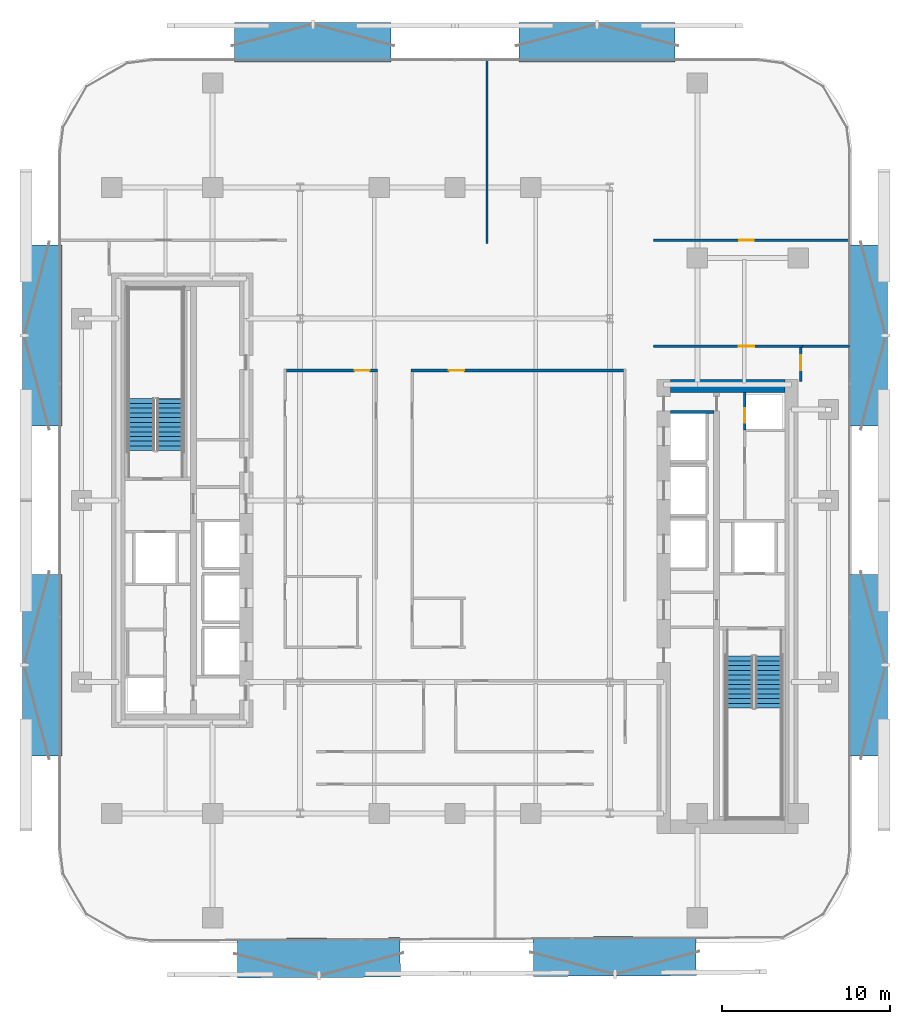
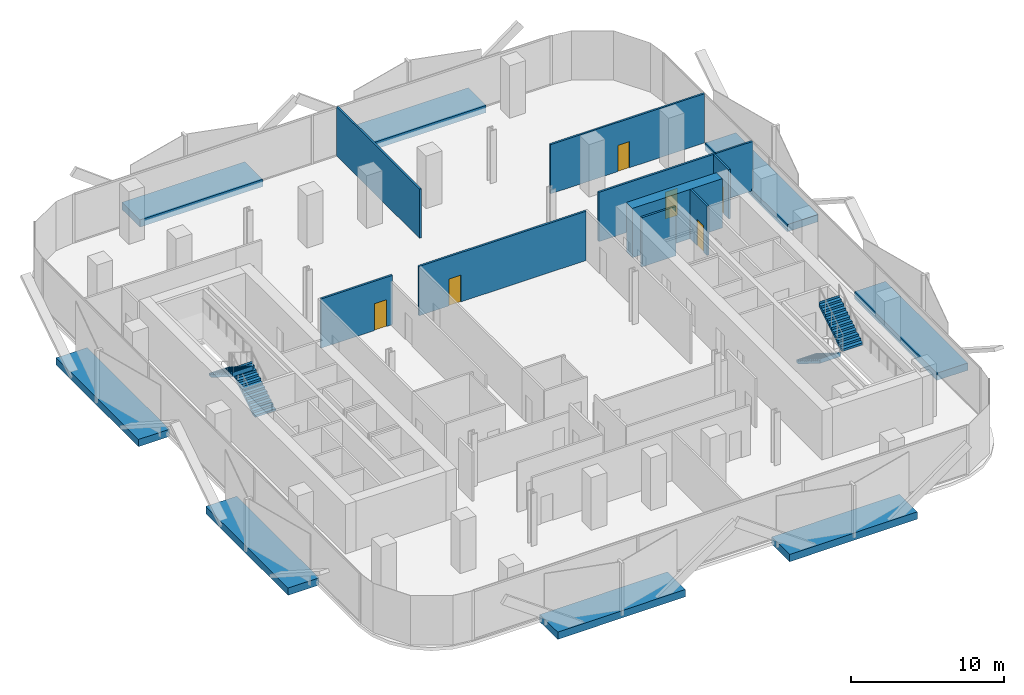
# One storey, part 6 of 15: 10 walls, 8 discrete accessories, 6 doors, 4 stair flights, 6 openings, 2 elements without a shape of their own.
"""IFC4 building model written with IfcOpenShell, lengths in metres."""

import ifcopenshell
import ifcopenshell.guid

model = None  # the IFC model being written
_history = None  # IfcOwnerHistory: only IFC2X3 demands one
_inside = {}  # id of a spatial element -> (the spatial element, [elements in it])
_under = {}  # id of a project, library or spatial element -> (it, [spatial elements below it])
_declared = {}  # id of a project -> (the project, [libraries it declares])
_typed = {}  # id of a type object -> (the type object, [elements of that type])
_made_of = {}  # id of a material, layer set ... -> (it, [elements and type objects made of it])


def new_model(schema):
    """Start an empty IFC model of exactly this schema.

    Asked for "IFC4X3", IfcOpenShell would pick the latest addendum, in which some entities
    have other attributes; the version numbers below select the first issue.
    IFC2X3 requires an IfcOwnerHistory on every rooted entity: one is made here for all.
    """
    global model, _history
    if schema == "IFC4X3":
        model = ifcopenshell.file(schema_version=(4, 3, 0, 0))
    else:
        model = ifcopenshell.file(schema=schema)
    _inside.clear()
    _under.clear()
    _declared.clear()
    _typed.clear()
    _made_of.clear()
    _history = None
    if model.schema == "IFC2X3":
        org = make("IfcOrganization", Name="unknown")
        user = make(
            "IfcPersonAndOrganization",
            ThePerson=make("IfcPerson", FamilyName="unknown"),
            TheOrganization=org,
        )
        app = make(
            "IfcApplication",
            ApplicationDeveloper=org,
            Version="unknown",
            ApplicationFullName="unknown",
            ApplicationIdentifier="unknown",
        )
        _history = make(
            "IfcOwnerHistory",
            OwningUser=user,
            OwningApplication=app,
            ChangeAction="ADDED",
            CreationDate=0,
        )
    return model


def make(cls, **values):
    """One entity of the class cls with the attributes given. An attribute that is None is left unset."""
    return model.create_entity(
        cls, **{name: value for name, value in values.items() if value is not None}
    )


def rooted(cls, **values):
    """An entity with a GlobalId (a new one), such as an element, a storey or a relation."""
    return make(cls, GlobalId=ifcopenshell.guid.new(), OwnerHistory=_history, **values)


def si_unit(unit_type, name, prefix=None):
    """IfcSIUnit, for example si_unit("LENGTHUNIT", "METRE", prefix="MILLI")."""
    return make("IfcSIUnit", UnitType=unit_type, Prefix=prefix, Name=name)


def assignment(units):
    """IfcUnitAssignment: the units of a project."""
    return None if units is None else make("IfcUnitAssignment", Units=units)


def point(xyz):
    """IfcCartesianPoint."""
    return None if xyz is None else make("IfcCartesianPoint", Coordinates=xyz)


def direction(xyz):
    """IfcDirection."""
    return None if xyz is None else make("IfcDirection", DirectionRatios=xyz)


def frame(location, z_axis=None, x_axis=None):
    """IfcAxis2Placement3D, a coordinate frame: its origin and axes. An axis left out is left unset."""
    return make(
        "IfcAxis2Placement3D",
        Location=point(location),
        Axis=direction(z_axis),
        RefDirection=direction(x_axis),
    )


def frame_2d(location, x_axis=None):
    """IfcAxis2Placement2D, a coordinate frame in the plane: its origin and x axis."""
    return make(
        "IfcAxis2Placement2D", Location=point(location), RefDirection=direction(x_axis)
    )


def origin():
    """The frame at (0, 0, 0) with its axes left unset."""
    return frame((0.0, 0.0, 0.0))


def origin_2d():
    """The frame at (0, 0) in the plane with its x axis left unset."""
    return frame_2d((0.0, 0.0))


def place(relative_to, where):
    """IfcLocalPlacement: puts the frame where relative to a parent placement (None: the world)."""
    return make(
        "IfcLocalPlacement", PlacementRelTo=relative_to, RelativePlacement=where
    )


def context(
    kind, dimensions, precision=None, world=None, true_north=None, identifier=None
):
    """IfcGeometricRepresentationContext, for example the 3D "Model" context."""
    return make(
        "IfcGeometricRepresentationContext",
        ContextIdentifier=identifier,
        ContextType=kind,
        CoordinateSpaceDimension=dimensions,
        Precision=precision,
        WorldCoordinateSystem=world,
        TrueNorth=true_north,
    )


def subcontext(parent, identifier, kind, view, scale=None):
    """IfcGeometricRepresentationSubContext, for example "Body" below "Model"."""
    return make(
        "IfcGeometricRepresentationSubContext",
        ContextIdentifier=identifier,
        ContextType=kind,
        ParentContext=parent,
        TargetScale=scale,
        TargetView=view,
    )


def project(units=None, contexts=None):
    """IfcProject with its units and contexts."""
    return rooted(
        "IfcProject",
        Name="project",
        RepresentationContexts=contexts,
        UnitsInContext=assignment(units),
    )


def spatial(cls, under=None, at=None, **own):
    """A site, building, storey or space (cls), placed at a placement, below another one or the project."""
    s = rooted(cls, ObjectPlacement=at, **own)
    if under is not None:
        _under.setdefault(under.id(), (under, []))[1].append(s)
    return s


def polyline(points):
    """IfcPolyline through the points."""
    return make("IfcPolyline", Points=[point(p) for p in points])


def profile(cls, at=None, kind="AREA", **sizes):
    """A parametric profile (cls). Its sizes go by their IFC names, for example OverallWidth=200.0."""
    return make(cls, ProfileType=kind, Position=at, **sizes)


def rectangle(**sizes):
    """IfcRectangleProfileDef."""
    return profile("IfcRectangleProfileDef", **sizes)


def outline(outer, holes=None, kind="AREA"):
    """IfcArbitraryClosedProfileDef: a profile drawn as a closed curve; with holes, ...WithVoids."""
    if holes is None:
        return make("IfcArbitraryClosedProfileDef", ProfileType=kind, OuterCurve=outer)
    return make(
        "IfcArbitraryProfileDefWithVoids",
        ProfileType=kind,
        OuterCurve=outer,
        InnerCurves=holes,
    )


def extrude(swept, where, along, depth):
    """IfcExtrudedAreaSolid: the profile swept, set in the frame where, extruded along a direction by depth."""
    return make(
        "IfcExtrudedAreaSolid",
        SweptArea=swept,
        Position=where,
        ExtrudedDirection=direction(along),
        Depth=depth,
    )


def shape(context_of_items, identifier, shape_type, items):
    """IfcShapeRepresentation: the items that make up one representation, for example the "Body"."""
    return make(
        "IfcShapeRepresentation",
        ContextOfItems=context_of_items,
        RepresentationIdentifier=identifier,
        RepresentationType=shape_type,
        Items=items,
    )


def material(Name=None, Category=None):
    """IfcMaterial."""
    return make("IfcMaterial", Name=Name, Category=Category)


def layer(
    of_material, thickness, ventilated=None, Name=None, Category=None, Priority=None
):
    """IfcMaterialLayer: one layer of a wall or slab, of a material (None: an air gap)."""
    return make(
        "IfcMaterialLayer",
        Material=of_material,
        LayerThickness=thickness,
        IsVentilated=ventilated,
        Name=Name,
        Category=Category,
        Priority=Priority,
    )


def layer_set(layers, Name=None):
    """IfcMaterialLayerSet."""
    return make("IfcMaterialLayerSet", MaterialLayers=layers, LayerSetName=Name)


def made_of(thing, what):
    """Note that an element or type object is made of a material, layer set ...; save() writes the relation."""
    if what is not None:
        _made_of.setdefault(what.id(), (what, []))[1].append(thing)
    return thing


def type_object(cls, material=None, **own):
    """A type object (cls), such as IfcWallType, which elements share."""
    return made_of(rooted(cls, **own), material)


def element(
    cls,
    number,
    at=None,
    inside=None,
    cuts=None,
    type_object=None,
    material=None,
    context=None,
    identifier="Body",
    shape_type=None,
    held_by="IfcProductDefinitionShape",
    body=None,
    shapes=None,
    **own,
):
    """One element of the class cls, such as IfcWall. Its Tag is "e" and its number.

    at: its placement. inside: the storey or other place that contains it. cuts: it is an
    opening in that element (IfcRelVoidsElement). A single representation is given by context,
    identifier, shape_type and body (its items); several are given by shapes. held_by: the class
    of the entity that holds the representations. save() writes the other relations.
    """
    e = rooted(cls, Tag="e%d" % number, ObjectPlacement=at, **own)
    if body is not None:
        shapes = [shape(context, identifier, shape_type, body)]
    if shapes is not None:
        e.Representation = make(held_by, Representations=shapes)
    if inside is not None:
        _inside.setdefault(inside.id(), (inside, []))[1].append(e)
    if cuts is not None:
        rooted(
            "IfcRelVoidsElement", RelatingBuildingElement=cuts, RelatedOpeningElement=e
        )
    if type_object is not None:
        _typed.setdefault(type_object.id(), (type_object, []))[1].append(e)
    return made_of(e, material)


def fill(opening, filler):
    """IfcRelFillsElement: the door or window that sits in an opening."""
    return rooted(
        "IfcRelFillsElement",
        RelatingOpeningElement=opening,
        RelatedBuildingElement=filler,
    )


def aggregate(whole, parts):
    """IfcRelAggregates: a whole, such as a stair, and the parts it consists of."""
    return rooted("IfcRelAggregates", RelatingObject=whole, RelatedObjects=parts)


def save(model, path):
    """Write the relations noted so far, then the file.

    IfcRelAggregates (storeys below a building ...), IfcRelContainedInSpatialStructure (elements
    in a storey), IfcRelDefinesByType, IfcRelAssociatesMaterial and IfcRelDeclares: one each for
    every whole, place, type object, material and project.
    """
    for whole, parts in _under.values():
        aggregate(whole, parts)
    for where, things in _inside.values():
        rooted(
            "IfcRelContainedInSpatialStructure",
            RelatedElements=things,
            RelatingStructure=where,
        )
    for kind, things in _typed.values():
        rooted("IfcRelDefinesByType", RelatedObjects=things, RelatingType=kind)
    for what, things in _made_of.values():
        rooted("IfcRelAssociatesMaterial", RelatedObjects=things, RelatingMaterial=what)
    for by, libraries in _declared.values():
        rooted("IfcRelDeclares", RelatingContext=by, RelatedDefinitions=libraries)
    model.write(path)


model = new_model("IFC4")

# Units and contexts
model_context = context("Model", 3, precision=1e-05, world=origin(), true_north=direction((0.0, 1.0)))
body_context = subcontext(model_context, "Body", "Model", "MODEL_VIEW")
ifc_project = project(units=[si_unit("LENGTHUNIT", "METRE"), si_unit("AREAUNIT", "SQUARE_METRE"), si_unit("VOLUMEUNIT", "CUBIC_METRE"), si_unit("PLANEANGLEUNIT", "RADIAN"), si_unit("MASSUNIT", "GRAM", prefix="KILO")], contexts=[model_context])

# Site, building, storey
site_placement = place(None, origin())
site = spatial("IfcSite", under=ifc_project, at=site_placement, CompositionType="ELEMENT")
building_placement = place(site_placement, origin())
building = spatial("IfcBuilding", under=site, at=building_placement, Name="Khairoan Windgate Tower", CompositionType="ELEMENT")
storey_placement = place(building_placement, frame((0.0, 0.0, 101.60009765625)))
storey = spatial("IfcBuildingStorey", under=building, at=storey_placement, Name="L23", CompositionType="ELEMENT", Elevation=101.60009765625)

# Walls
ifc_material_1 = material(Name="Concrete C40/50", Category="concrete")
ifc_layer_1 = layer(ifc_material_1, 0.159912109375, Name="Concrete C40/50")
ifc_layer_set_1 = layer_set([ifc_layer_1], Name="Concrete C40/50")
wall_type_1 = type_object("IfcWallType", Name="Core and Hoistway Enclosure Wall", PredefinedType="STANDARD", material=ifc_layer_set_1)
wall_1_placement = place(storey_placement, frame((12.800048828125, 5.25, 0.0), z_axis=(0.0, 0.0, 1.0), x_axis=(1.0, 0.0, 0.0)))
element("IfcWall", 1, at=wall_1_placement, inside=storey, type_object=wall_type_1, Name="L23 Core Shaft Wall SW-ESV-L23", PredefinedType="STANDARD", context=body_context, shape_type="SweptSolid", body=[
    extrude(rectangle(XDim=2.599853515625, YDim=0.159912109375, at=frame_2d((1.2998046875, 0.0))), origin(), (0.0, 0.0, 1.0), 3.93994140625),
])
ifc_material_2 = material(Name="Acoustic Fire-Rated Gypsum Partition", Category="gypsum")
ifc_layer_2 = layer(ifc_material_2, 0.139892578125, Name="Acoustic Fire-Rated Gypsum Partition")
ifc_layer_set_2 = layer_set([ifc_layer_2], Name="Acoustic Fire-Rated Gypsum Partition")
wall_type_2 = type_object("IfcWallType", Name="Inter-Tenancy Compartment Wall", PredefinedType="PARTITIONING", material=ifc_layer_set_2)
wall_2_placement = place(storey_placement, frame((20.639892578125, 9.159912109375, 0.0), z_axis=(0.0, 0.0, 1.0), x_axis=(1.0, 0.0, 0.0)))
element("IfcWall", 2, at=wall_2_placement, inside=storey, type_object=wall_type_2, Name="L23 Interior Partition 036", PredefinedType="PARTITIONING", context=body_context, shape_type="SweptSolid", body=[
    extrude(rectangle(XDim=2.815185546875, YDim=0.139892578125, at=frame_2d((1.40771484375, 0.0))), origin(), (0.0, 0.0, 1.0), 3.93994140625),
])

# Wall, opening, door
wall_3_placement = place(storey_placement, frame((11.81005859375, 15.4599609375, 0.0), z_axis=(0.0, 0.0, 1.0), x_axis=(1.0, 0.0, 0.0)))
wall_3 = element("IfcWall", 3, at=wall_3_placement, inside=storey, type_object=wall_type_2, Name="L23 Interior Partition 037", PredefinedType="PARTITIONING", context=body_context, shape_type="SweptSolid", body=[
    extrude(rectangle(XDim=11.64501953125, YDim=0.139892578125, at=frame_2d((5.822509765625, 0.0))), origin(), (0.0, 0.0, 1.0), 3.93994140625),
])
opening_1_placement = place(wall_3_placement, frame((5.09521484375, 0.0, 0.0)))
opening_1 = element("IfcOpeningElement", 4, at=opening_1_placement, cuts=wall_3, Name="Opening FD-SRV", PredefinedType="OPENING", context=body_context, shape_type="SweptSolid", body=[
    extrude(rectangle(XDim=0.85009765625, YDim=2.10009765625, at=frame_2d((0.425048828125, 1.050048828125))), frame((0.0, 0.079833984375, 0.0), z_axis=(0.0, -1.0, 0.0), x_axis=(1.0, 0.0, 0.0)), (0.0, 0.0, 1.0), 0.159912109375),
])
ifc_material_3 = material(Name="Steel S355", Category="steel")
door_type_1 = type_object("IfcDoorType", Name="Core Service and Riser Fire Door FD-SRV 850x2100", OperationType="NOTDEFINED", PredefinedType="DOOR", material=ifc_material_3)
door_1_placement = place(opening_1_placement, origin())
door_1 = element("IfcDoor", 5, at=door_1_placement, inside=storey, type_object=door_type_1, Name="L23 L23-38-L23-40 Door", OperationType="SINGLE_SWING_LEFT", OverallHeight=2.10009765625, OverallWidth=0.85009765625, PredefinedType="DOOR", context=body_context, shape_type="SweptSolid", body=[
    extrude(rectangle(XDim=0.85009765625, YDim=2.10009765625, at=frame_2d((0.425048828125, 1.050048828125))), frame((0.0, 0.02490234375, 0.0), z_axis=(0.0, -1.0, 0.0), x_axis=(1.0, 0.0, 0.0)), (0.0, 0.0, 1.0), 0.050048828125),
])
fill(opening_1, door_1)

# Wall
wall_4_placement = place(storey_placement, frame((1.904052734375, 15.280029296875, 0.0), z_axis=(0.0, 0.0, 1.0), x_axis=(0.0, 1.0, 0.0)))
element("IfcWall", 6, at=wall_4_placement, inside=storey, type_object=wall_type_2, Name="L23 Interior Partition 038", PredefinedType="PARTITIONING", context=body_context, shape_type="SweptSolid", body=[
    extrude(rectangle(XDim=10.875, YDim=0.139892578125, at=frame_2d((5.4375, 0.0))), origin(), (0.0, 0.0, 1.0), 3.93994140625),
])

# Wall, opening, door
ifc_material_4 = material(Name="Concrete C40/50", Category="concrete")
ifc_layer_3 = layer(ifc_material_4, 0.159912109375, Name="Concrete C40/50")
ifc_layer_set_3 = layer_set([ifc_layer_3], Name="Concrete C40/50")
wall_type_3 = type_object("IfcWallType", Name="Plant and Refuge Compartment Wall", PredefinedType="PARTITIONING", material=ifc_layer_set_3)
wall_5_placement = place(storey_placement, frame((17.22998046875, 4.169921875, 0.0), z_axis=(0.0, 0.0, 1.0), x_axis=(0.0, 1.0, 0.0)))
wall_5 = element("IfcWall", 7, at=wall_5_placement, inside=storey, type_object=wall_type_3, Name="L23 Interior Partition 007", PredefinedType="PARTITIONING", context=body_context, shape_type="SweptSolid", body=[
    extrude(rectangle(XDim=2.22998046875, YDim=0.159912109375, at=frame_2d((1.114990234375, 0.0))), origin(), (0.0, 0.0, 1.0), 3.93994140625),
])
opening_2_placement = place(wall_5_placement, frame((0.4599609375, 0.0, 0.0)))
opening_2 = element("IfcOpeningElement", 8, at=opening_2_placement, cuts=wall_5, Name="Opening FD-SRV", PredefinedType="OPENING", context=body_context, shape_type="SweptSolid", body=[
    extrude(rectangle(XDim=0.85009765625, YDim=2.10009765625, at=frame_2d((0.425048828125, 1.050048828125))), frame((0.0, 0.08984375, 0.0), z_axis=(0.0, -1.0, 0.0), x_axis=(1.0, 0.0, 0.0)), (0.0, 0.0, 1.0), 0.179931640625),
])
door_2_placement = place(opening_2_placement, origin())
door_2 = element("IfcDoor", 9, at=door_2_placement, inside=storey, type_object=door_type_1, Name="L23 L23-18-L23-19 Door", OperationType="SINGLE_SWING_RIGHT", OverallHeight=2.10009765625, OverallWidth=0.85009765625, PredefinedType="DOOR", context=body_context, shape_type="SweptSolid", body=[
    extrude(rectangle(XDim=0.85009765625, YDim=2.10009765625, at=frame_2d((0.425048828125, 1.050048828125))), frame((0.0, 0.02490234375, 0.0), z_axis=(0.0, -1.0, 0.0), x_axis=(1.0, 0.0, 0.0)), (0.0, 0.0, 1.0), 0.050048828125),
])
fill(opening_2, door_2)

ifc_material_5 = material(Name="Acoustic Fire-Rated Gypsum Partition", Category="gypsum")
ifc_layer_4 = layer(ifc_material_5, 0.14990234375, Name="Acoustic Fire-Rated Gypsum Partition")
ifc_layer_set_4 = layer_set([ifc_layer_4], Name="Acoustic Fire-Rated Gypsum Partition")
wall_type_4 = type_object("IfcWallType", Name="Rated Corridor Partition Wall", PredefinedType="PARTITIONING", material=ifc_layer_set_4)
wall_6_placement = place(storey_placement, frame((-2.6201171875, 7.719970703125, 0.0), z_axis=(0.0, 0.0, 1.0), x_axis=(1.0, 0.0, 0.0)))
wall_6 = element("IfcWall", 10, at=wall_6_placement, inside=storey, type_object=wall_type_4, Name="L23 Interior Partition 016", PredefinedType="PARTITIONING", context=body_context, shape_type="SweptSolid", body=[
    extrude(rectangle(XDim=12.64501953125, YDim=0.14990234375, at=frame_2d((6.322509765625, 0.0))), origin(), (0.0, 0.0, 1.0), 3.93994140625),
])
opening_3_placement = place(wall_6_placement, frame((2.26416015625, 0.0, 0.0)))
opening_3 = element("IfcOpeningElement", 11, at=opening_3_placement, cuts=wall_6, Name="Opening FD-ENT", PredefinedType="OPENING", context=body_context, shape_type="SweptSolid", body=[
    extrude(rectangle(XDim=0.89990234375, YDim=2.14990234375, at=frame_2d((0.449951171875, 1.074951171875))), frame((0.0, 0.0849609375, 0.0), z_axis=(0.0, -1.0, 0.0), x_axis=(1.0, 0.0, 0.0)), (0.0, 0.0, 1.0), 0.169921875),
])
ifc_material_6 = material(Name="Timber Fire-Rated Core", Category="wood")
door_type_2 = type_object("IfcDoorType", Name="Unit and Office Fire Entrance Door FD-ENT 900x2150", OperationType="NOTDEFINED", PredefinedType="DOOR", material=ifc_material_6)
door_3_placement = place(opening_3_placement, origin())
door_3 = element("IfcDoor", 12, at=door_3_placement, inside=storey, type_object=door_type_2, Name="L23 L23-29-L23-44 Door", OperationType="SINGLE_SWING_RIGHT", OverallHeight=2.14990234375, OverallWidth=0.89990234375, PredefinedType="DOOR", context=body_context, shape_type="SweptSolid", body=[
    extrude(rectangle(XDim=0.89990234375, YDim=2.14990234375, at=frame_2d((0.449951171875, 1.074951171875))), frame((0.0, 0.02490234375, 0.0), z_axis=(0.0, -1.0, 0.0), x_axis=(1.0, 0.0, 0.0)), (0.0, 0.0, 1.0), 0.050048828125),
])
fill(opening_3, door_3)

wall_7_placement = place(storey_placement, frame((-10.02490234375, 7.719970703125, 0.0), z_axis=(0.0, 0.0, 1.0), x_axis=(1.0, 0.0, 0.0)))
wall_7 = element("IfcWall", 13, at=wall_7_placement, inside=storey, type_object=wall_type_4, Name="L23 Interior Partition 017", PredefinedType="PARTITIONING", context=body_context, shape_type="SweptSolid", body=[
    extrude(rectangle(XDim=5.419921875, YDim=0.14990234375, at=frame_2d((2.7099609375, 0.0))), origin(), (0.0, 0.0, 1.0), 3.93994140625),
])
opening_4_placement = place(wall_7_placement, frame((4.06005859375, 0.0, 0.0)))
opening_4 = element("IfcOpeningElement", 14, at=opening_4_placement, cuts=wall_7, Name="Opening FD-ENT", PredefinedType="OPENING", context=body_context, shape_type="SweptSolid", body=[
    extrude(rectangle(XDim=0.89990234375, YDim=2.14990234375, at=frame_2d((0.449951171875, 1.074951171875))), frame((0.0, 0.0849609375, 0.0), z_axis=(0.0, -1.0, 0.0), x_axis=(1.0, 0.0, 0.0)), (0.0, 0.0, 1.0), 0.169921875),
])
door_4_placement = place(opening_4_placement, origin())
door_4 = element("IfcDoor", 15, at=door_4_placement, inside=storey, type_object=door_type_2, Name="L23 L23-29-L23-46 Door", OperationType="SINGLE_SWING_LEFT", OverallHeight=2.14990234375, OverallWidth=0.89990234375, PredefinedType="DOOR", context=body_context, shape_type="SweptSolid", body=[
    extrude(rectangle(XDim=0.89990234375, YDim=2.14990234375, at=frame_2d((0.449951171875, 1.074951171875))), frame((0.0, 0.02490234375, 0.0), z_axis=(0.0, -1.0, 0.0), x_axis=(1.0, 0.0, 0.0)), (0.0, 0.0, 1.0), 0.050048828125),
])
fill(opening_4, door_4)

wall_8_placement = place(storey_placement, frame((20.5400390625, 7.06005859375, 0.0), z_axis=(0.0, 0.0, 1.0), x_axis=(0.0, 1.0, 0.0)))
wall_8 = element("IfcWall", 16, at=wall_8_placement, inside=storey, type_object=wall_type_4, Name="L23 Interior Partition 027", PredefinedType="PARTITIONING", context=body_context, shape_type="SweptSolid", body=[
    extrude(rectangle(XDim=2.02490234375, YDim=0.14990234375, at=frame_2d((1.012451171875, 0.0))), origin(), (0.0, 0.0, 1.0), 3.93994140625),
])
opening_5_placement = place(wall_8_placement, frame((0.6650390625, 0.0, 0.0)))
opening_5 = element("IfcOpeningElement", 17, at=opening_5_placement, cuts=wall_8, Name="Opening FD-ENT", PredefinedType="OPENING", context=body_context, shape_type="SweptSolid", body=[
    extrude(rectangle(XDim=0.89990234375, YDim=2.14990234375, at=frame_2d((0.449951171875, 1.074951171875))), frame((0.0, 0.0849609375, 0.0), z_axis=(0.0, -1.0, 0.0), x_axis=(1.0, 0.0, 0.0)), (0.0, 0.0, 1.0), 0.169921875),
])
door_5_placement = place(opening_5_placement, origin())
door_5 = element("IfcDoor", 18, at=door_5_placement, inside=storey, type_object=door_type_2, Name="L23 L23-33-L23-37 Door", OperationType="SINGLE_SWING_LEFT", OverallHeight=2.14990234375, OverallWidth=0.89990234375, PredefinedType="DOOR", context=body_context, shape_type="SweptSolid", body=[
    extrude(rectangle(XDim=0.89990234375, YDim=2.14990234375, at=frame_2d((0.449951171875, 1.074951171875))), frame((0.0, 0.02490234375, 0.0), z_axis=(0.0, -1.0, 0.0), x_axis=(1.0, 0.0, 0.0)), (0.0, 0.0, 1.0), 0.050048828125),
])
fill(opening_5, door_5)

wall_9_placement = place(storey_placement, frame((11.81005859375, 9.159912109375, 0.0), z_axis=(0.0, 0.0, 1.0), x_axis=(1.0, 0.0, 0.0)))
wall_9 = element("IfcWall", 19, at=wall_9_placement, inside=storey, type_object=wall_type_4, Name="L23 Interior Partition 028", PredefinedType="PARTITIONING", context=body_context, shape_type="SweptSolid", body=[
    extrude(rectangle(XDim=8.829833984375, YDim=0.14990234375, at=frame_2d((4.4150390625, 0.0))), origin(), (0.0, 0.0, 1.0), 3.93994140625),
])
opening_6_placement = place(wall_9_placement, frame((5.066650390625, 0.0, 0.0)))
opening_6 = element("IfcOpeningElement", 20, at=opening_6_placement, cuts=wall_9, Name="Opening FD-ENT", PredefinedType="OPENING", context=body_context, shape_type="SweptSolid", body=[
    extrude(rectangle(XDim=0.89990234375, YDim=2.14990234375, at=frame_2d((0.449951171875, 1.074951171875))), frame((0.0, 0.0849609375, 0.0), z_axis=(0.0, -1.0, 0.0), x_axis=(1.0, 0.0, 0.0)), (0.0, 0.0, 1.0), 0.169921875),
])
door_6_placement = place(opening_6_placement, origin())
door_6 = element("IfcDoor", 21, at=door_6_placement, inside=storey, type_object=door_type_2, Name="L23 L23-33-L23-38 Door", OperationType="SINGLE_SWING_RIGHT", OverallHeight=2.14990234375, OverallWidth=0.89990234375, PredefinedType="DOOR", context=body_context, shape_type="SweptSolid", body=[
    extrude(rectangle(XDim=0.89990234375, YDim=2.14990234375, at=frame_2d((0.449951171875, 1.074951171875))), frame((0.0, 0.02490234375, 0.0), z_axis=(0.0, -1.0, 0.0), x_axis=(1.0, 0.0, 0.0)), (0.0, 0.0, 1.0), 0.050048828125),
])
fill(opening_6, door_6)

# Wall
ifc_material_7 = material(Name="Concrete C70/85", Category="concrete")
ifc_layer_5 = layer(ifc_material_7, 0.800048828125, Name="Concrete C70/85")
ifc_layer_set_5 = layer_set([ifc_layer_5], Name="Concrete C70/85")
wall_type_5 = type_object("IfcWallType", Name="Shear Wall CW-E1 800mm", PredefinedType="SHEAR", material=ifc_layer_set_5)
wall_10_placement = place(storey_placement, frame((12.800048828125, 6.800048828125, 0.0), z_axis=(0.0, 0.0, 1.0), x_axis=(1.0, 0.0, 0.0)))
element("IfcWall", 22, at=wall_10_placement, inside=storey, type_object=wall_type_5, Name="E Core North Shear Wall L23", PredefinedType="SHEAR", context=body_context, shape_type="SweptSolid", body=[
    extrude(rectangle(XDim=6.800048828125, YDim=0.800048828125, at=frame_2d((3.39990234375, 0.0))), origin(), (0.0, 0.0, 1.0), 3.93994140625),
])

# Stair, stair flights
ifc_material_8 = material(Name="Concrete C40/50", Category="concrete")
stair_type = type_object("IfcStairType", Name="Tower Core Dog-Leg Stair ST-T1 1560mm", PredefinedType="HALF_TURN_STAIR", material=ifc_material_8)
stair_1_placement = place(storey_placement, origin())
stair_1 = element("IfcStair", 23, at=stair_1_placement, inside=storey, type_object=stair_type, Name="L23 Stair ST1", PredefinedType="HALF_TURN_STAIR")
ifc_material_9 = material(Name="Concrete C40/50", Category="concrete")
ifc_layer_6 = layer(ifc_material_9, 0.14990234375, Name="Concrete C40/50")
ifc_layer_set_6 = layer_set([ifc_layer_6], Name="Concrete C40/50")
stair_flight_type = type_object("IfcStairFlightType", Name="Tower Core Stair Flight STF-1560", PredefinedType="STRAIGHT", material=ifc_layer_set_6)
stair_flight_1_placement = place(storey_placement, frame((16.929931640625, -9.260009765625, 0.0), z_axis=(0.0, 0.0, 1.0), x_axis=(0.0, -1.0, 0.0)))
stair_flight_1 = element("IfcStairFlight", 24, at=stair_flight_1_placement, type_object=stair_flight_type, Name="ST1 flight 1", NumberOfRisers=12, NumberOfTreads=11, PredefinedType="STRAIGHT", RiserHeight=0.175, TreadLength=0.28, context=body_context, shape_type="SweptSolid", body=[
    extrude(outline(polyline([(-0.00390625, 0.0), (-0.00390625, 0.175048828125), (0.0, 0.175048828125), (0.280029296875, 0.175048828125), (0.280029296875, 0.35009765625), (0.56005859375, 0.35009765625), (0.56005859375, 0.52490234375), (0.840087890625, 0.52490234375), (0.840087890625, 0.699951171875), (1.1201171875, 0.699951171875), (1.1201171875, 0.875), (1.39990234375, 0.875), (1.39990234375, 1.050048828125), (1.679931640625, 1.050048828125), (1.679931640625, 1.22509765625), (1.9599609375, 1.22509765625), (1.9599609375, 1.39990234375), (2.239990234375, 1.39990234375), (2.239990234375, 1.574951171875), (2.52001953125, 1.574951171875), (2.52001953125, 1.75), (2.800048828125, 1.75), (2.800048828125, 1.925048828125), (3.080078125, 1.925048828125), (3.080078125, 2.10009765625), (3.083984375, 2.10009765625), (3.083984375, 1.748291015625), (0.28271484375, 0.0), (-0.00390625, 0.0)])), frame((0.0, 0.780029296875, 0.0), z_axis=(0.0, -1.0, 0.0), x_axis=(1.0, 0.0, 0.0)), (0.0, 0.0, 1.0), 1.56005859375),
])
stair_flight_2_placement = place(storey_placement, frame((18.639892578125, -12.340087890625, 2.099853515625), z_axis=(0.0, 0.0, 1.0), x_axis=(0.0, 1.0, 0.0)))
stair_flight_2 = element("IfcStairFlight", 25, at=stair_flight_2_placement, type_object=stair_flight_type, Name="ST1 flight 2", NumberOfRisers=12, NumberOfTreads=11, PredefinedType="STRAIGHT", RiserHeight=0.175, TreadLength=0.28, context=body_context, shape_type="SweptSolid", body=[
    extrude(outline(polyline([(-0.00390625, 0.0), (-0.00390625, 0.175048828125), (0.0, 0.175048828125), (0.280029296875, 0.175048828125), (0.280029296875, 0.35009765625), (0.56005859375, 0.35009765625), (0.56005859375, 0.52490234375), (0.840087890625, 0.52490234375), (0.840087890625, 0.699951171875), (1.1201171875, 0.699951171875), (1.1201171875, 0.875), (1.39990234375, 0.875), (1.39990234375, 1.050048828125), (1.679931640625, 1.050048828125), (1.679931640625, 1.22509765625), (1.9599609375, 1.22509765625), (1.9599609375, 1.39990234375), (2.239990234375, 1.39990234375), (2.239990234375, 1.574951171875), (2.52001953125, 1.574951171875), (2.52001953125, 1.75), (2.800048828125, 1.75), (2.800048828125, 1.925048828125), (3.080078125, 1.925048828125), (3.080078125, 2.10009765625), (3.083984375, 2.10009765625), (3.083984375, 1.748291015625), (0.28271484375, 0.0), (-0.00390625, 0.0)])), frame((0.0, 0.780029296875, 0.0), z_axis=(0.0, -1.0, 0.0), x_axis=(1.0, 0.0, 0.0)), (0.0, 0.0, 1.0), 1.56005859375),
])
aggregate(stair_1, [stair_flight_1, stair_flight_2])

stair_2_placement = place(storey_placement, origin())
stair_2 = element("IfcStair", 26, at=stair_2_placement, inside=storey, type_object=stair_type, Name="L23 Stair ST2", PredefinedType="HALF_TURN_STAIR")
stair_flight_3_placement = place(storey_placement, frame((-16.929931640625, 2.9599609375, 0.0), z_axis=(0.0, 0.0, 1.0), x_axis=(0.0, 1.0, 0.0)))
stair_flight_3 = element("IfcStairFlight", 27, at=stair_flight_3_placement, type_object=stair_flight_type, Name="ST2 flight 1", NumberOfRisers=12, NumberOfTreads=11, PredefinedType="STRAIGHT", RiserHeight=0.175, TreadLength=0.28, context=body_context, shape_type="SweptSolid", body=[
    extrude(outline(polyline([(-0.00390625, 0.0), (-0.00390625, 0.175048828125), (0.0, 0.175048828125), (0.280029296875, 0.175048828125), (0.280029296875, 0.35009765625), (0.56005859375, 0.35009765625), (0.56005859375, 0.52490234375), (0.840087890625, 0.52490234375), (0.840087890625, 0.699951171875), (1.1201171875, 0.699951171875), (1.1201171875, 0.875), (1.39990234375, 0.875), (1.39990234375, 1.050048828125), (1.679931640625, 1.050048828125), (1.679931640625, 1.22509765625), (1.9599609375, 1.22509765625), (1.9599609375, 1.39990234375), (2.239990234375, 1.39990234375), (2.239990234375, 1.574951171875), (2.52001953125, 1.574951171875), (2.52001953125, 1.75), (2.800048828125, 1.75), (2.800048828125, 1.925048828125), (3.080078125, 1.925048828125), (3.080078125, 2.10009765625), (3.083984375, 2.10009765625), (3.083984375, 1.748291015625), (0.28271484375, 0.0), (-0.00390625, 0.0)])), frame((0.0, 0.780029296875, 0.0), z_axis=(0.0, -1.0, 0.0), x_axis=(1.0, 0.0, 0.0)), (0.0, 0.0, 1.0), 1.56005859375),
])
stair_flight_4_placement = place(storey_placement, frame((-18.639892578125, 6.0400390625, 2.099853515625), z_axis=(0.0, 0.0, 1.0), x_axis=(0.0, -1.0, 0.0)))
stair_flight_4 = element("IfcStairFlight", 28, at=stair_flight_4_placement, type_object=stair_flight_type, Name="ST2 flight 2", NumberOfRisers=12, NumberOfTreads=11, PredefinedType="STRAIGHT", RiserHeight=0.175, TreadLength=0.28, context=body_context, shape_type="SweptSolid", body=[
    extrude(outline(polyline([(-0.00390625, 0.0), (-0.00390625, 0.175048828125), (0.0, 0.175048828125), (0.280029296875, 0.175048828125), (0.280029296875, 0.35009765625), (0.56005859375, 0.35009765625), (0.56005859375, 0.52490234375), (0.840087890625, 0.52490234375), (0.840087890625, 0.699951171875), (1.1201171875, 0.699951171875), (1.1201171875, 0.875), (1.39990234375, 0.875), (1.39990234375, 1.050048828125), (1.679931640625, 1.050048828125), (1.679931640625, 1.22509765625), (1.9599609375, 1.22509765625), (1.9599609375, 1.39990234375), (2.239990234375, 1.39990234375), (2.239990234375, 1.574951171875), (2.52001953125, 1.574951171875), (2.52001953125, 1.75), (2.800048828125, 1.75), (2.800048828125, 1.925048828125), (3.080078125, 1.925048828125), (3.080078125, 2.10009765625), (3.083984375, 2.10009765625), (3.083984375, 1.748291015625), (0.28271484375, 0.0), (-0.00390625, 0.0)])), frame((0.0, 0.780029296875, 0.0), z_axis=(0.0, -1.0, 0.0), x_axis=(1.0, 0.0, 0.0)), (0.0, 0.0, 1.0), 1.56005859375),
])
aggregate(stair_2, [stair_flight_3, stair_flight_4])

# Discrete accessories
ifc_material_10 = material(Name="Steel S355", Category="steel")
discrete_accessory_type = type_object("IfcDiscreteAccessoryType", Name="Solar Screen Outrigger Slab Bracket SSB-1", PredefinedType="BRACKET", material=ifc_material_10)
for number, where, z_axis, x_axis, name in (
    (29, (9.497802734375, -27.09521484375, -0.420166015625), (0.0, 0.0, 1.0), (-0.999988059021, -0.004886902454, 0.0), "L23 Solar Screen Outrigger Bracket 129"),
    (30, (-8.091064453125, -27.18115234375, -0.420166015625), (0.0, 0.0, 1.0), (-0.999988059021, -0.004886902454, 0.0), "L23 Solar Screen Outrigger Bracket 130"),
):
    element("IfcDiscreteAccessory", number, at=place(storey_placement, frame(where, z_axis=z_axis, x_axis=x_axis)), inside=storey, type_object=discrete_accessory_type, Name=name, PredefinedType="BRACKET", context=body_context, shape_type="SweptSolid", body=[
        extrude(rectangle(XDim=9.674072265625, YDim=2.340087890625, at=origin_2d()), origin(), (0.0, 0.0, 1.0), 0.580078125),
    ])
for number, where, z_axis, x_axis, name in (
    (31, (-24.530029296875, -9.79541015625, -0.420166015625), (0.0, 0.0, 1.0), (0.0, 1.0, 0.0), "L23 Solar Screen Outrigger Bracket 131"),
    (32, (-24.530029296875, 9.79541015625, -0.420166015625), (0.0, 0.0, 1.0), (0.0, 1.0, 0.0), "L23 Solar Screen Outrigger Bracket 132"),
):
    element("IfcDiscreteAccessory", number, at=place(storey_placement, frame(where, z_axis=z_axis, x_axis=x_axis)), inside=storey, type_object=discrete_accessory_type, Name=name, PredefinedType="BRACKET", context=body_context, shape_type="SweptSolid", body=[
        extrude(rectangle(XDim=10.77490234375, YDim=2.340087890625, at=origin_2d()), origin(), (0.0, 0.0, 1.0), 0.580078125),
    ])
for number, where, z_axis, x_axis, name in (
    (33, (-8.4453125, 27.22998046875, -0.420166015625), (0.0, 0.0, 1.0), (1.0, 0.0, 0.0), "L23 Solar Screen Outrigger Bracket 133"),
    (34, (8.4453125, 27.22998046875, -0.420166015625), (0.0, 0.0, 1.0), (1.0, 0.0, 0.0), "L23 Solar Screen Outrigger Bracket 134"),
):
    element("IfcDiscreteAccessory", number, at=place(storey_placement, frame(where, z_axis=z_axis, x_axis=x_axis)), inside=storey, type_object=discrete_accessory_type, Name=name, PredefinedType="BRACKET", context=body_context, shape_type="SweptSolid", body=[
        extrude(rectangle(XDim=9.2900390625, YDim=2.340087890625, at=origin_2d()), origin(), (0.0, 0.0, 1.0), 0.580078125),
    ])
for number, where, z_axis, x_axis, name in (
    (35, (24.530029296875, 9.79541015625, -0.420166015625), (0.0, 0.0, 1.0), (0.0, -1.0, 0.0), "L23 Solar Screen Outrigger Bracket 135"),
    (36, (24.530029296875, -9.79541015625, -0.420166015625), (0.0, 0.0, 1.0), (0.0, -1.0, 0.0), "L23 Solar Screen Outrigger Bracket 136"),
):
    element("IfcDiscreteAccessory", number, at=place(storey_placement, frame(where, z_axis=z_axis, x_axis=x_axis)), inside=storey, type_object=discrete_accessory_type, Name=name, PredefinedType="BRACKET", context=body_context, shape_type="SweptSolid", body=[
        extrude(rectangle(XDim=10.77490234375, YDim=2.340087890625, at=origin_2d()), origin(), (0.0, 0.0, 1.0), 0.580078125),
    ])

save(model, "model.ifc")
